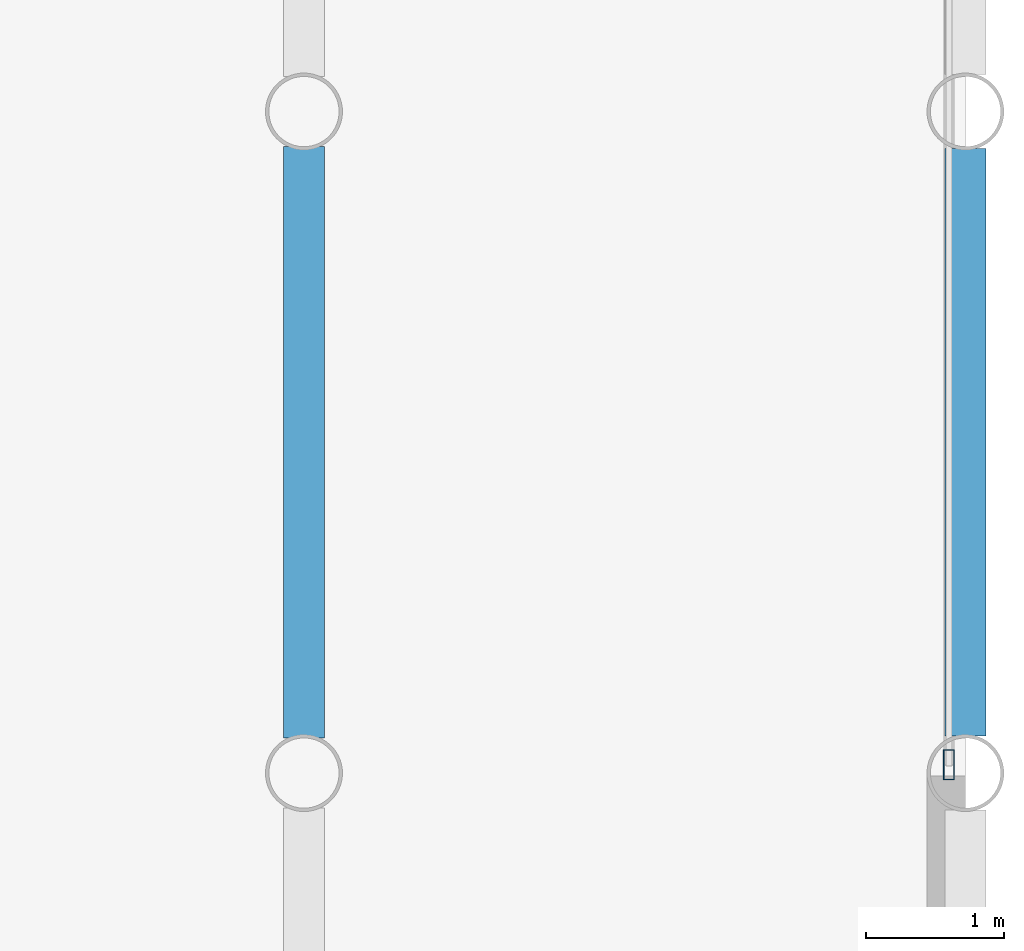
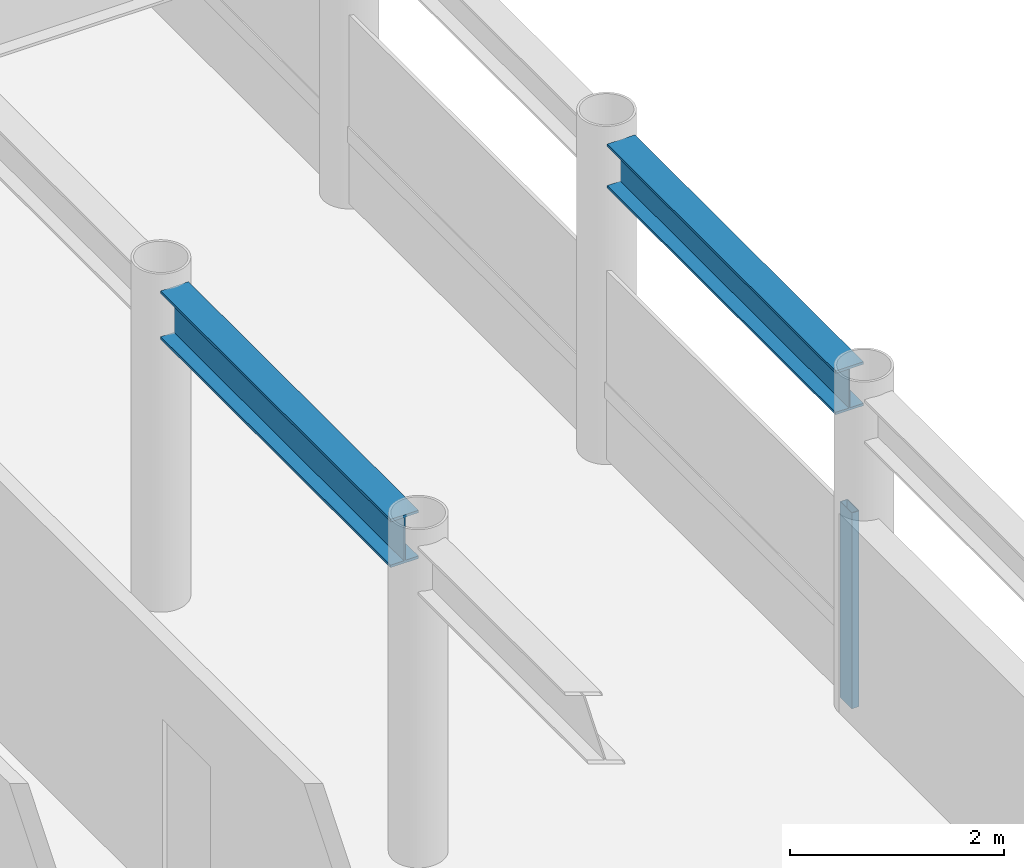
# One storey, part 10 of 22: 2 beams, 1 member, 1 element without a shape of its own.
"""IFC4 building model written with IfcOpenShell, lengths in metres."""

from ifc_helpers import new_model, si_unit, direction, frame, origin, origin_2d, place, context, subcontext, project, spatial, hollow_rectangle, i_section, extrude, material, layer, layer_set, material_profile, profile_set, type_object, element, aggregate, save


model = new_model("IFC4")

# Units and contexts
model_context = context("Model", 3, precision=1e-05, world=origin(), true_north=direction((0.0, 1.0)))
body_context = subcontext(model_context, "Body", "Model", "MODEL_VIEW")
ifc_project = project(units=[si_unit("LENGTHUNIT", "METRE"), si_unit("AREAUNIT", "SQUARE_METRE"), si_unit("VOLUMEUNIT", "CUBIC_METRE"), si_unit("PLANEANGLEUNIT", "RADIAN"), si_unit("MASSUNIT", "GRAM", prefix="KILO")], contexts=[model_context])

# Site, building, storey
site_placement = place(None, origin())
site = spatial("IfcSite", under=ifc_project, at=site_placement, CompositionType="ELEMENT")
building_placement = place(site_placement, origin())
building = spatial("IfcBuilding", under=site, at=building_placement, Name="Kallvorn Hotel Tower", CompositionType="ELEMENT")
storey_placement = place(building_placement, frame((0.0, 0.0, 226.14990234375)))
storey = spatial("IfcBuildingStorey", under=building, at=storey_placement, Name="L56", CompositionType="ELEMENT", Elevation=226.14990234375)

# Beams
ifc_material_1 = material(Name="Structural steel S355JR", Category="steel")
ifc_material_profile_1 = material_profile(ifc_material_1, i_section(OverallWidth=0.300048828125, OverallDepth=0.5, WebThickness=0.014404296875, FlangeThickness=0.028076171875, at=origin_2d()), Name="HE 500 B")
ifc_profile_set_1 = profile_set([ifc_material_profile_1], Name="Structural steel S355JR")
beam_type_1 = type_object("IfcBeamType", Name="BM_HE500B", PredefinedType="SPANDREL", material=ifc_profile_set_1)
beam_1_placement = place(storey_placement, frame((33.60009765625, 0.26953125, 3.420166015625), z_axis=(0.0, 1.0, 0.0), x_axis=(-1.0, 0.0, 0.0)))
element("IfcBeam", 1, at=beam_1_placement, inside=storey, type_object=beam_type_1, Name="L57 Perimeter Spandrel 185", PredefinedType="SPANDREL", context=body_context, shape_type="SweptSolid", body=[
    extrude(i_section(OverallWidth=0.300048828125, OverallDepth=0.5, WebThickness=0.014404296875, FlangeThickness=0.028076171875, at=origin_2d()), origin(), (0.0, 0.0, 1.0), 4.260986328125),
])
ifc_material_2 = material(Name="Structural steel S355JR", Category="steel")
ifc_material_profile_2 = material_profile(ifc_material_2, i_section(OverallWidth=0.300048828125, OverallDepth=0.550048828125, WebThickness=0.014892578125, FlangeThickness=0.029052734375, at=origin_2d()), Name="HE 550 B")
ifc_profile_set_2 = profile_set([ifc_material_profile_2], Name="Structural steel S355JR")
beam_type_2 = type_object("IfcBeamType", Name="BM_HE550B", PredefinedType="SPANDREL", material=ifc_profile_set_2)
beam_2_placement = place(storey_placement, frame((28.800048828125, 0.25439453125, 3.39501953125), z_axis=(0.0, 1.0, 0.0), x_axis=(-1.0, 0.0, 0.0)))
element("IfcBeam", 2, at=beam_2_placement, inside=storey, type_object=beam_type_2, Name="L57 Primary Y-Girder 146", PredefinedType="SPANDREL", context=body_context, shape_type="SweptSolid", body=[
    extrude(i_section(OverallWidth=0.300048828125, OverallDepth=0.550048828125, WebThickness=0.014892578125, FlangeThickness=0.029052734375, at=origin_2d()), origin(), (0.0, 0.0, 1.0), 4.291015625),
])

# Curtain wall, member
ifc_material_3 = material(Name="Thermally broken black-anodised aluminium AA 6063-T6", Category="aluminium")
ifc_layer = layer(ifc_material_3, 0.22998046875)
ifc_layer_set = layer_set([ifc_layer], Name="CW_SYS_5_HOTEL_HIGH")
curtain_wall_type = type_object("IfcCurtainWallType", Name="CW_SYS_5_HOTEL_HIGH", PredefinedType="USERDEFINED", material=ifc_layer_set)
curtain_wall_placement = place(storey_placement, origin())
curtain_wall = element("IfcCurtainWall", 3, at=curtain_wall_placement, inside=storey, type_object=curtain_wall_type, Name="L56 Dark-Glass Curtain Wall CW-L56-EN", ObjectType="UNITISED CURTAIN WALL", PredefinedType="USERDEFINED")
ifc_material_4 = material(Name="Thermally broken black-anodised aluminium AA 6063-T6", Category="aluminium")
ifc_material_profile_3 = material_profile(ifc_material_4, hollow_rectangle(XDim=0.080078125, YDim=0.219970703125, WallThickness=0.0048828125, at=origin_2d()), Name="MUL 220x80")
ifc_profile_set_3 = profile_set([ifc_material_profile_3], Name="Thermally broken black-anodised aluminium AA 6063-T6")
member_type = type_object("IfcMemberType", Name="CW_MULLION_220x80", PredefinedType="MULLION", material=ifc_profile_set_3)
member_placement = place(storey_placement, frame((33.47998046875, 0.06005859375, 0.02001953125), z_axis=(0.0, 0.0, 1.0), x_axis=(1.0, 0.0, 0.0)))
member = element("IfcMember", 4, at=member_placement, type_object=member_type, Name="CW-L56-EN Mullion 00", PredefinedType="MULLION", context=body_context, shape_type="SweptSolid", body=[
    extrude(hollow_rectangle(XDim=0.080078125, YDim=0.219970703125, WallThickness=0.0048828125, at=origin_2d()), origin(), (0.0, 0.0, 1.0), 2.22998046875),
])
aggregate(curtain_wall, [member])

save(model, "model.ifc")
